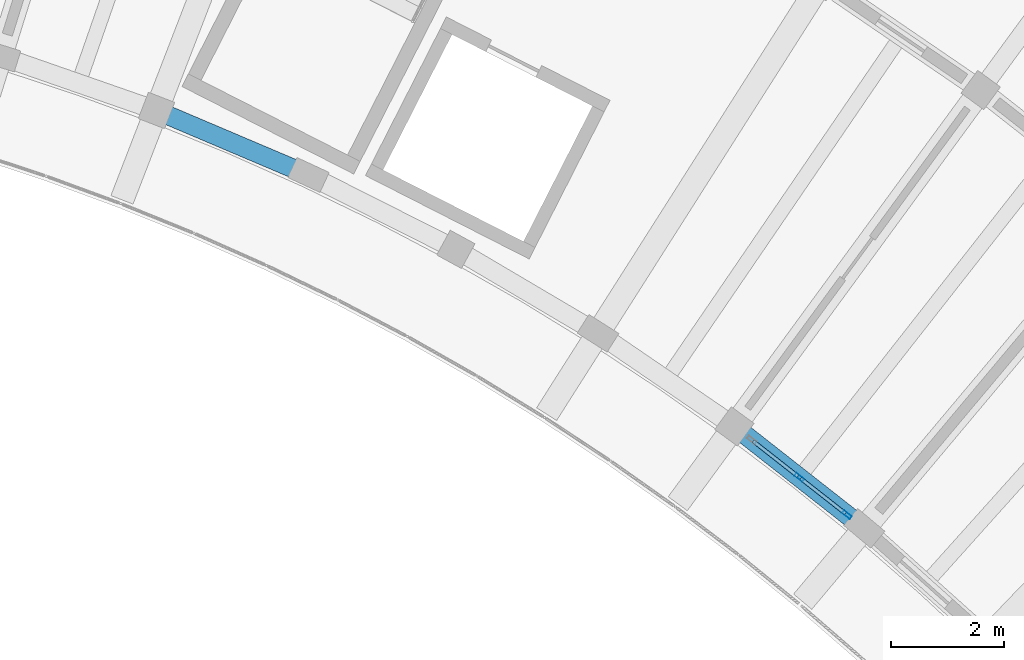
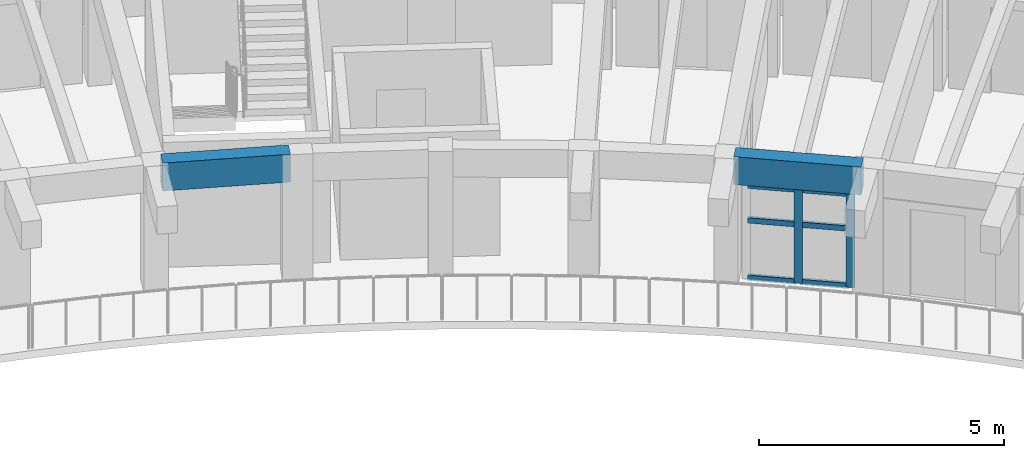
# One storey, part 20 of 62: 8 members, 2 beams, 1 element without a shape of its own.
"""IFC4 building model written with IfcOpenShell, lengths in metres."""

import ifcopenshell
import ifcopenshell.guid

model = None  # the IFC model being written
_history = None  # IfcOwnerHistory: only IFC2X3 demands one
_inside = {}  # id of a spatial element -> (the spatial element, [elements in it])
_under = {}  # id of a project, library or spatial element -> (it, [spatial elements below it])
_declared = {}  # id of a project -> (the project, [libraries it declares])
_typed = {}  # id of a type object -> (the type object, [elements of that type])
_made_of = {}  # id of a material, layer set ... -> (it, [elements and type objects made of it])


def new_model(schema):
    """Start an empty IFC model of exactly this schema.

    Asked for "IFC4X3", IfcOpenShell would pick the latest addendum, in which some entities
    have other attributes; the version numbers below select the first issue.
    IFC2X3 requires an IfcOwnerHistory on every rooted entity: one is made here for all.
    """
    global model, _history
    if schema == "IFC4X3":
        model = ifcopenshell.file(schema_version=(4, 3, 0, 0))
    else:
        model = ifcopenshell.file(schema=schema)
    _inside.clear()
    _under.clear()
    _declared.clear()
    _typed.clear()
    _made_of.clear()
    _history = None
    if model.schema == "IFC2X3":
        org = make("IfcOrganization", Name="unknown")
        user = make(
            "IfcPersonAndOrganization",
            ThePerson=make("IfcPerson", FamilyName="unknown"),
            TheOrganization=org,
        )
        app = make(
            "IfcApplication",
            ApplicationDeveloper=org,
            Version="unknown",
            ApplicationFullName="unknown",
            ApplicationIdentifier="unknown",
        )
        _history = make(
            "IfcOwnerHistory",
            OwningUser=user,
            OwningApplication=app,
            ChangeAction="ADDED",
            CreationDate=0,
        )
    return model


def make(cls, **values):
    """One entity of the class cls with the attributes given. An attribute that is None is left unset."""
    return model.create_entity(
        cls, **{name: value for name, value in values.items() if value is not None}
    )


def rooted(cls, **values):
    """An entity with a GlobalId (a new one), such as an element, a storey or a relation."""
    return make(cls, GlobalId=ifcopenshell.guid.new(), OwnerHistory=_history, **values)


def si_unit(unit_type, name, prefix=None):
    """IfcSIUnit, for example si_unit("LENGTHUNIT", "METRE", prefix="MILLI")."""
    return make("IfcSIUnit", UnitType=unit_type, Prefix=prefix, Name=name)


def assignment(units):
    """IfcUnitAssignment: the units of a project."""
    return None if units is None else make("IfcUnitAssignment", Units=units)


def point(xyz):
    """IfcCartesianPoint."""
    return None if xyz is None else make("IfcCartesianPoint", Coordinates=xyz)


def direction(xyz):
    """IfcDirection."""
    return None if xyz is None else make("IfcDirection", DirectionRatios=xyz)


def frame(location, z_axis=None, x_axis=None):
    """IfcAxis2Placement3D, a coordinate frame: its origin and axes. An axis left out is left unset."""
    return make(
        "IfcAxis2Placement3D",
        Location=point(location),
        Axis=direction(z_axis),
        RefDirection=direction(x_axis),
    )


def frame_2d(location, x_axis=None):
    """IfcAxis2Placement2D, a coordinate frame in the plane: its origin and x axis."""
    return make(
        "IfcAxis2Placement2D", Location=point(location), RefDirection=direction(x_axis)
    )


def origin():
    """The frame at (0, 0, 0) with its axes left unset."""
    return frame((0.0, 0.0, 0.0))


def origin_2d():
    """The frame at (0, 0) in the plane with its x axis left unset."""
    return frame_2d((0.0, 0.0))


def place(relative_to, where):
    """IfcLocalPlacement: puts the frame where relative to a parent placement (None: the world)."""
    return make(
        "IfcLocalPlacement", PlacementRelTo=relative_to, RelativePlacement=where
    )


def context(
    kind, dimensions, precision=None, world=None, true_north=None, identifier=None
):
    """IfcGeometricRepresentationContext, for example the 3D "Model" context."""
    return make(
        "IfcGeometricRepresentationContext",
        ContextIdentifier=identifier,
        ContextType=kind,
        CoordinateSpaceDimension=dimensions,
        Precision=precision,
        WorldCoordinateSystem=world,
        TrueNorth=true_north,
    )


def subcontext(parent, identifier, kind, view, scale=None):
    """IfcGeometricRepresentationSubContext, for example "Body" below "Model"."""
    return make(
        "IfcGeometricRepresentationSubContext",
        ContextIdentifier=identifier,
        ContextType=kind,
        ParentContext=parent,
        TargetScale=scale,
        TargetView=view,
    )


def project(units=None, contexts=None):
    """IfcProject with its units and contexts."""
    return rooted(
        "IfcProject",
        Name="project",
        RepresentationContexts=contexts,
        UnitsInContext=assignment(units),
    )


def spatial(cls, under=None, at=None, **own):
    """A site, building, storey or space (cls), placed at a placement, below another one or the project."""
    s = rooted(cls, ObjectPlacement=at, **own)
    if under is not None:
        _under.setdefault(under.id(), (under, []))[1].append(s)
    return s


def profile(cls, at=None, kind="AREA", **sizes):
    """A parametric profile (cls). Its sizes go by their IFC names, for example OverallWidth=200.0."""
    return make(cls, ProfileType=kind, Position=at, **sizes)


def rectangle(**sizes):
    """IfcRectangleProfileDef."""
    return profile("IfcRectangleProfileDef", **sizes)


def hollow_rectangle(**sizes):
    """IfcRectangleHollowProfileDef."""
    return profile("IfcRectangleHollowProfileDef", **sizes)


def extrude(swept, where, along, depth):
    """IfcExtrudedAreaSolid: the profile swept, set in the frame where, extruded along a direction by depth."""
    return make(
        "IfcExtrudedAreaSolid",
        SweptArea=swept,
        Position=where,
        ExtrudedDirection=direction(along),
        Depth=depth,
    )


def shape(context_of_items, identifier, shape_type, items):
    """IfcShapeRepresentation: the items that make up one representation, for example the "Body"."""
    return make(
        "IfcShapeRepresentation",
        ContextOfItems=context_of_items,
        RepresentationIdentifier=identifier,
        RepresentationType=shape_type,
        Items=items,
    )


def material(Name=None, Category=None):
    """IfcMaterial."""
    return make("IfcMaterial", Name=Name, Category=Category)


def material_profile(
    of_material, cross_section, Name=None, Category=None, Priority=None
):
    """IfcMaterialProfile: a cross section and its material."""
    return make(
        "IfcMaterialProfile",
        Name=Name,
        Material=of_material,
        Profile=cross_section,
        Priority=Priority,
        Category=Category,
    )


def profile_set(profiles, Name=None, composite=None):
    """IfcMaterialProfileSet."""
    return make(
        "IfcMaterialProfileSet",
        Name=Name,
        MaterialProfiles=profiles,
        CompositeProfile=composite,
    )


def made_of(thing, what):
    """Note that an element or type object is made of a material, layer set ...; save() writes the relation."""
    if what is not None:
        _made_of.setdefault(what.id(), (what, []))[1].append(thing)
    return thing


def type_object(cls, material=None, **own):
    """A type object (cls), such as IfcWallType, which elements share."""
    return made_of(rooted(cls, **own), material)


def element(
    cls,
    number,
    at=None,
    inside=None,
    cuts=None,
    type_object=None,
    material=None,
    context=None,
    identifier="Body",
    shape_type=None,
    held_by="IfcProductDefinitionShape",
    body=None,
    shapes=None,
    **own,
):
    """One element of the class cls, such as IfcWall. Its Tag is "e" and its number.

    at: its placement. inside: the storey or other place that contains it. cuts: it is an
    opening in that element (IfcRelVoidsElement). A single representation is given by context,
    identifier, shape_type and body (its items); several are given by shapes. held_by: the class
    of the entity that holds the representations. save() writes the other relations.
    """
    e = rooted(cls, Tag="e%d" % number, ObjectPlacement=at, **own)
    if body is not None:
        shapes = [shape(context, identifier, shape_type, body)]
    if shapes is not None:
        e.Representation = make(held_by, Representations=shapes)
    if inside is not None:
        _inside.setdefault(inside.id(), (inside, []))[1].append(e)
    if cuts is not None:
        rooted(
            "IfcRelVoidsElement", RelatingBuildingElement=cuts, RelatedOpeningElement=e
        )
    if type_object is not None:
        _typed.setdefault(type_object.id(), (type_object, []))[1].append(e)
    return made_of(e, material)


def aggregate(whole, parts):
    """IfcRelAggregates: a whole, such as a stair, and the parts it consists of."""
    return rooted("IfcRelAggregates", RelatingObject=whole, RelatedObjects=parts)


def save(model, path):
    """Write the relations noted so far, then the file.

    IfcRelAggregates (storeys below a building ...), IfcRelContainedInSpatialStructure (elements
    in a storey), IfcRelDefinesByType, IfcRelAssociatesMaterial and IfcRelDeclares: one each for
    every whole, place, type object, material and project.
    """
    for whole, parts in _under.values():
        aggregate(whole, parts)
    for where, things in _inside.values():
        rooted(
            "IfcRelContainedInSpatialStructure",
            RelatedElements=things,
            RelatingStructure=where,
        )
    for kind, things in _typed.values():
        rooted("IfcRelDefinesByType", RelatedObjects=things, RelatingType=kind)
    for what, things in _made_of.values():
        rooted("IfcRelAssociatesMaterial", RelatedObjects=things, RelatingMaterial=what)
    for by, libraries in _declared.values():
        rooted("IfcRelDeclares", RelatingContext=by, RelatedDefinitions=libraries)
    model.write(path)


model = new_model("IFC4")

# Units and contexts
model_context = context("Model", 3, precision=1e-05, world=origin(), true_north=direction((0.0, 1.0)))
body_context = subcontext(model_context, "Body", "Model", "MODEL_VIEW")
ifc_project = project(units=[si_unit("LENGTHUNIT", "METRE"), si_unit("AREAUNIT", "SQUARE_METRE"), si_unit("VOLUMEUNIT", "CUBIC_METRE"), si_unit("PLANEANGLEUNIT", "RADIAN"), si_unit("MASSUNIT", "GRAM", prefix="KILO")], contexts=[model_context])

# Site, building, storey
site_placement = place(None, origin())
site = spatial("IfcSite", under=ifc_project, at=site_placement, CompositionType="ELEMENT")
building_placement = place(site_placement, origin())
building = spatial("IfcBuilding", under=site, at=building_placement, Name="Tanwirah Colonnade Gardens", CompositionType="ELEMENT")
storey_placement = place(building_placement, frame((0.0, 0.0, 32.360107421875)))
storey = spatial("IfcBuildingStorey", under=building, at=storey_placement, Name="L09", CompositionType="ELEMENT", Elevation=32.360107421875)

# Curtain wall, members
ifc_material_1 = material(Name="Bronze-anodised aluminium and solar-control low-E glass", Category="aluminium")
curtain_wall_type = type_object("IfcCurtainWallType", Name="CW-GDN", PredefinedType="NOTDEFINED", material=ifc_material_1)
curtain_wall_placement = place(storey_placement, origin())
curtain_wall = element("IfcCurtainWall", 1, at=curtain_wall_placement, inside=storey, type_object=curtain_wall_type, Name="Curtain Wall CW-B-L09-IN-09", PredefinedType="NOTDEFINED")
ifc_material_2 = material(Name="Bronze-anodised aluminium", Category="aluminium")
ifc_material_profile_1 = material_profile(ifc_material_2, hollow_rectangle(XDim=0.06494140625, YDim=0.179931640625, WallThickness=0.00390625, at=origin_2d()), Name="CW-MUL 65x180x4")
ifc_profile_set_1 = profile_set([ifc_material_profile_1], Name="Bronze-anodised aluminium")
member_type_1 = type_object("IfcMemberType", Name="CWM-65x180", PredefinedType="MULLION", material=ifc_profile_set_1)
member_1_placement = place(storey_placement, frame((149.26318359375, 94.492919921875, 0.0), z_axis=(0.0, 0.0, 1.0), x_axis=(-0.617188542982, -0.786815291166, 0.0)))
member_1 = element("IfcMember", 2, at=member_1_placement, type_object=member_type_1, Name="CW-GDN mullion 1", PredefinedType="MULLION", context=body_context, shape_type="SweptSolid", body=[
    extrude(hollow_rectangle(XDim=0.06494140625, YDim=0.179931640625, WallThickness=0.00390625, at=origin_2d()), origin(), (0.0, 0.0, 1.0), 2.35498046875),
])
member_2_placement = place(storey_placement, frame((148.419189453125, 95.155029296875, 0.0), z_axis=(0.0, 0.0, 1.0), x_axis=(-0.617188542982, -0.786815291166, 0.0)))
member_2 = element("IfcMember", 3, at=member_2_placement, type_object=member_type_1, Name="CW-GDN mullion 2", PredefinedType="MULLION", context=body_context, shape_type="SweptSolid", body=[
    extrude(hollow_rectangle(XDim=0.06494140625, YDim=0.179931640625, WallThickness=0.00390625, at=origin_2d()), origin(), (0.0, 0.0, 1.0), 2.35498046875),
])
ifc_material_profile_2 = material_profile(ifc_material_2, hollow_rectangle(XDim=0.06494140625, YDim=0.135009765625, WallThickness=0.00390625, at=origin_2d()), Name="CW-TRN 65x135x4")
ifc_profile_set_2 = profile_set([ifc_material_profile_2], Name="Bronze-anodised aluminium")
member_type_2 = type_object("IfcMemberType", Name="CWT-65x135", PredefinedType="USERDEFINED", material=ifc_profile_set_2)
member_3_placement = place(storey_placement, frame((149.237548828125, 94.512939453125, 0.032470703125), z_axis=(-0.786906471393, 0.617072285295, 0.0), x_axis=(-0.617072285295, -0.786906471393, 0.0)))
member_3 = element("IfcMember", 4, at=member_3_placement, type_object=member_type_2, Name="CW-GDN transom 1.1", ObjectType="TRANSOM", PredefinedType="USERDEFINED", context=body_context, shape_type="SweptSolid", body=[
    extrude(hollow_rectangle(XDim=0.06494140625, YDim=0.135009765625, WallThickness=0.00390625, at=origin_2d()), origin(), (0.0, 0.0, 1.0), 1.0078125),
])
member_4_placement = place(storey_placement, frame((149.237548828125, 94.512939453125, 1.4599609375), z_axis=(-0.786906471393, 0.617072285295, 0.0), x_axis=(-0.617072285295, -0.786906471393, 0.0)))
member_4 = element("IfcMember", 5, at=member_4_placement, type_object=member_type_2, Name="CW-GDN transom 1.2", ObjectType="TRANSOM", PredefinedType="USERDEFINED", context=body_context, shape_type="SweptSolid", body=[
    extrude(hollow_rectangle(XDim=0.06494140625, YDim=0.135009765625, WallThickness=0.00390625, at=origin_2d()), origin(), (0.0, 0.0, 1.0), 1.0078125),
])
member_5_placement = place(storey_placement, frame((149.237548828125, 94.512939453125, 2.322509765625), z_axis=(-0.786906471393, 0.617072285295, 0.0), x_axis=(-0.617072285295, -0.786906471393, 0.0)))
member_5 = element("IfcMember", 6, at=member_5_placement, type_object=member_type_2, Name="CW-GDN transom 1.3", ObjectType="TRANSOM", PredefinedType="USERDEFINED", context=body_context, shape_type="SweptSolid", body=[
    extrude(hollow_rectangle(XDim=0.06494140625, YDim=0.135009765625, WallThickness=0.00390625, at=origin_2d()), origin(), (0.0, 0.0, 1.0), 1.0078125),
])
member_6_placement = place(storey_placement, frame((148.3935546875, 95.175048828125, 0.032470703125), z_axis=(-0.786814192286, 0.617189943872, 0.0), x_axis=(-0.617189943872, -0.786814192286, 0.0)))
member_6 = element("IfcMember", 7, at=member_6_placement, type_object=member_type_2, Name="CW-GDN transom 2.1", ObjectType="TRANSOM", PredefinedType="USERDEFINED", context=body_context, shape_type="SweptSolid", body=[
    extrude(hollow_rectangle(XDim=0.06494140625, YDim=0.135009765625, WallThickness=0.00390625, at=origin_2d()), origin(), (0.0, 0.0, 1.0), 1.007568359375),
])
member_7_placement = place(storey_placement, frame((148.3935546875, 95.175048828125, 1.4599609375), z_axis=(-0.786814192286, 0.617189943872, 0.0), x_axis=(-0.617189943872, -0.786814192286, 0.0)))
member_7 = element("IfcMember", 8, at=member_7_placement, type_object=member_type_2, Name="CW-GDN transom 2.2", ObjectType="TRANSOM", PredefinedType="USERDEFINED", context=body_context, shape_type="SweptSolid", body=[
    extrude(hollow_rectangle(XDim=0.06494140625, YDim=0.135009765625, WallThickness=0.00390625, at=origin_2d()), origin(), (0.0, 0.0, 1.0), 1.007568359375),
])
member_8_placement = place(storey_placement, frame((148.3935546875, 95.175048828125, 2.322509765625), z_axis=(-0.786814192286, 0.617189943872, 0.0), x_axis=(-0.617189943872, -0.786814192286, 0.0)))
member_8 = element("IfcMember", 9, at=member_8_placement, type_object=member_type_2, Name="CW-GDN transom 2.3", ObjectType="TRANSOM", PredefinedType="USERDEFINED", context=body_context, shape_type="SweptSolid", body=[
    extrude(hollow_rectangle(XDim=0.06494140625, YDim=0.135009765625, WallThickness=0.00390625, at=origin_2d()), origin(), (0.0, 0.0, 1.0), 1.007568359375),
])
aggregate(curtain_wall, [member_1, member_2, member_3, member_4, member_5, member_6, member_7, member_8])

# Beams
ifc_material_3 = material(Name="Precast concrete C40/50", Category="concrete")
ifc_material_profile_3 = material_profile(ifc_material_3, rectangle(XDim=0.3349609375, YDim=0.695068359375, at=origin_2d()), Name="PC-SP 335x695")
ifc_profile_set_3 = profile_set([ifc_material_profile_3], Name="Precast concrete C40/50")
beam_type = type_object("IfcBeamType", Name="SP-PC300", PredefinedType="SPANDREL", material=ifc_profile_set_3)
for number, where, z_axis, x_axis, name in (
    (10, (149.453857421875, 94.34326171875, 2.767333984375), (-0.786836625031, 0.617161344795, 0.0), (-0.617161344795, -0.786836625031, 0.0), "Block B L09 Circumferential Beam 9-R0"),
    (11, (139.569091796875, 100.580322265625, 2.767333984375), (-0.920488719784, 0.390769134848, 0.0), (-0.390769134848, -0.920488719784, 0.0), "Block B L09 Circumferential Beam 13-R0"),
):
    element("IfcBeam", number, at=place(storey_placement, frame(where, z_axis=z_axis, x_axis=x_axis)), inside=storey, type_object=beam_type, Name=name, PredefinedType="SPANDREL", context=body_context, shape_type="SweptSolid", body=[
        extrude(rectangle(XDim=0.3349609375, YDim=0.695068359375, at=origin_2d()), origin(), (0.0, 0.0, 1.0), 2.63037109375),
    ])

save(model, "model.ifc")
